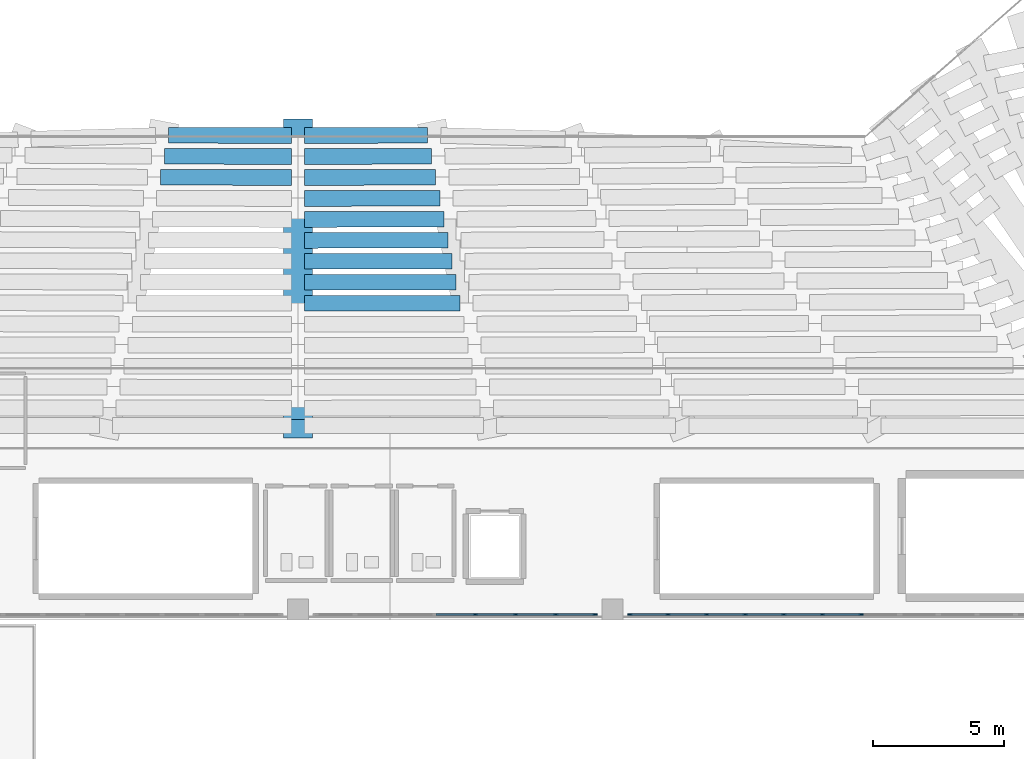
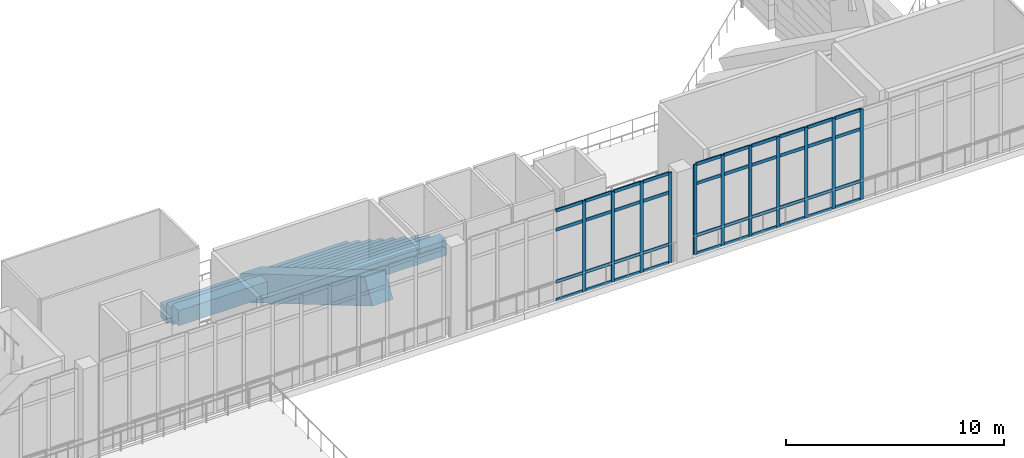
# One storey, part 12 of 55: 51 members, 13 beams, 2 elements without a shape of their own.
"""IFC4 building model written with IfcOpenShell, lengths in metres."""

from ifc_helpers import new_model, si_unit, derived_unit, direction, frame, origin, origin_2d, place, context, subcontext, project, spatial, rectangle, extrude, material, layer, layer_set, material_profile, profile_set, type_object, element, aggregate, save


model = new_model("IFC4")

# Units and contexts
model_context = context("Model", 3, precision=1e-05, world=origin(), true_north=direction((0.0, 1.0)))
body_context = subcontext(model_context, "Body", "Model", "MODEL_VIEW")
ifc_project = project(units=[si_unit("LENGTHUNIT", "METRE"), si_unit("AREAUNIT", "SQUARE_METRE"), si_unit("VOLUMEUNIT", "CUBIC_METRE"), si_unit("PLANEANGLEUNIT", "RADIAN"), si_unit("MASSUNIT", "GRAM", prefix="KILO"), derived_unit("THERMALTRANSMITTANCEUNIT", [(si_unit("MASSUNIT", "GRAM", prefix="KILO"), 1), (si_unit("TIMEUNIT", "SECOND"), -3), (si_unit("THERMODYNAMICTEMPERATUREUNIT", "KELVIN"), -1)])], contexts=[model_context])

# Site, building, storey
site_placement = place(None, origin())
site = spatial("IfcSite", under=ifc_project, at=site_placement, CompositionType="ELEMENT")
building_placement = place(site_placement, origin())
building = spatial("IfcBuilding", under=site, at=building_placement, Name="Valcora Ridge Arena", CompositionType="ELEMENT")
storey_placement = place(building_placement, frame((0.0, 0.0, 21.0)))
storey = spatial("IfcBuildingStorey", under=building, at=storey_placement, Name="L04", CompositionType="ELEMENT", Elevation=21.0)

# Beams
ifc_material_1 = material(Name="Concrete C40/50", Category="concrete")
ifc_material_profile_1 = material_profile(ifc_material_1, rectangle(XDim=0.60009765625, YDim=0.85009765625, at=origin_2d()), Name="RC 600x850")
ifc_profile_set_1 = profile_set([ifc_material_profile_1], Name="Concrete C40/50")
beam_type_1 = type_object("IfcBeamType", Name="TY-BEAM-B-RC600-X", PredefinedType="BEAM", material=ifc_profile_set_1)
for number, where, z_axis, x_axis, name in (
    (1, (53.058837890625, 38.49365234375, -8.22509765625), (0.999996196018, -0.002758251282, 0.0), (0.002758251282, 0.999996196018, 0.0), "B-RC600-X BEM-RU3-B-RC600-X-0010"),
    (2, (58.25, 38.480712890625, -8.22509765625), (0.999996196018, 0.002758251282, 0.0), (-0.002758251282, 0.999996196018, 0.0), "B-RC600-X BEM-RU3-B-RC600-X-0011"),
):
    element("IfcBeam", number, at=place(storey_placement, frame(where, z_axis=z_axis, x_axis=x_axis)), inside=storey, type_object=beam_type_1, Name=name, PredefinedType="BEAM", context=body_context, shape_type="SweptSolid", body=[
        extrude(rectangle(XDim=0.60009765625, YDim=0.85009765625, at=origin_2d()), origin(), (0.0, 0.0, 1.0), 4.691162109375),
    ])
for number, where, z_axis, x_axis, name in (
    (3, (52.904296875, 37.692626953125, -7.7451171875), (0.99999695262, -0.002468755072, 0.0), (0.002468755072, 0.99999695262, 0.0), "B-RC600-X BEM-RU3-B-RC600-X-0058"),
    (4, (58.25, 37.6806640625, -7.7451171875), (0.99999695262, 0.002468755072, 0.0), (-0.002468755072, 0.99999695262, 0.0), "B-RC600-X BEM-RU3-B-RC600-X-0059"),
):
    element("IfcBeam", number, at=place(storey_placement, frame(where, z_axis=z_axis, x_axis=x_axis)), inside=storey, type_object=beam_type_1, Name=name, PredefinedType="BEAM", context=body_context, shape_type="SweptSolid", body=[
        extrude(rectangle(XDim=0.60009765625, YDim=0.85009765625, at=origin_2d()), origin(), (0.0, 0.0, 1.0), 4.845703125),
    ])
for number, where, z_axis, x_axis, name in (
    (5, (52.75, 36.8916015625, -7.264892578125), (0.999997586021, -0.002197260321, 0.0), (0.002197260321, 0.999997586021, 0.0), "B-RC600-X BEM-RU3-B-RC600-X-0109"),
    (6, (58.25, 36.880615234375, -7.264892578125), (0.999997586021, 0.002197260321, 0.0), (-0.002197260321, 0.999997586021, 0.0), "B-RC600-X BEM-RU3-B-RC600-X-0110"),
):
    element("IfcBeam", number, at=place(storey_placement, frame(where, z_axis=z_axis, x_axis=x_axis)), inside=storey, type_object=beam_type_1, Name=name, PredefinedType="BEAM", context=body_context, shape_type="SweptSolid", body=[
        extrude(rectangle(XDim=0.60009765625, YDim=0.85009765625, at=origin_2d()), origin(), (0.0, 0.0, 1.0), 5.0),
    ])
beam_1_placement = place(storey_placement, frame((58.25, 36.08056640625, -6.784912109375), z_axis=(0.999998021357, 0.001989291758, 0.0), x_axis=(-0.001989291758, 0.999998021357, 0.0)))
element("IfcBeam", 7, at=beam_1_placement, inside=storey, type_object=beam_type_1, Name="B-RC600-X BEM-RU3-B-RC600-X-0160", PredefinedType="BEAM", context=body_context, shape_type="SweptSolid", body=[
    extrude(rectangle(XDim=0.60009765625, YDim=0.85009765625, at=origin_2d()), origin(), (0.0, 0.0, 1.0), 5.154541015625),
])
beam_2_placement = place(storey_placement, frame((58.25, 35.280517578125, -6.304931640625), z_axis=(0.999998473217, 0.001747445139, 0.0), x_axis=(-0.001747445139, 0.999998473217, 0.0)))
element("IfcBeam", 8, at=beam_2_placement, inside=storey, type_object=beam_type_1, Name="B-RC600-X BEM-RU3-B-RC600-X-0205", PredefinedType="BEAM", context=body_context, shape_type="SweptSolid", body=[
    extrude(rectangle(XDim=0.60009765625, YDim=0.85009765625, at=origin_2d()), origin(), (0.0, 0.0, 1.0), 5.30908203125),
])
beam_3_placement = place(storey_placement, frame((58.25, 34.48046875, -5.824951171875), z_axis=(0.999998845791, 0.001519347607, 0.0), x_axis=(-0.001519347607, 0.999998845791, 0.0)))
element("IfcBeam", 9, at=beam_3_placement, inside=storey, type_object=beam_type_1, Name="B-RC600-X BEM-RU3-B-RC600-X-0245", PredefinedType="BEAM", context=body_context, shape_type="SweptSolid", body=[
    extrude(rectangle(XDim=0.60009765625, YDim=0.85009765625, at=origin_2d()), origin(), (0.0, 0.0, 1.0), 5.46337890625),
])
beam_4_placement = place(storey_placement, frame((58.25, 33.680419921875, -5.344970703125), z_axis=(0.999999092552, 0.00134718056, 0.0), x_axis=(-0.00134718056, 0.999999092552, 0.0)))
element("IfcBeam", 10, at=beam_4_placement, inside=storey, type_object=beam_type_1, Name="B-RC600-X BEM-RU3-B-RC600-X-0281", PredefinedType="BEAM", context=body_context, shape_type="SweptSolid", body=[
    extrude(rectangle(XDim=0.60009765625, YDim=0.85009765625, at=origin_2d()), origin(), (0.0, 0.0, 1.0), 5.617919921875),
])
beam_5_placement = place(storey_placement, frame((58.25, 32.88037109375, -4.864990234375), z_axis=(0.999999395391, 0.001099644065, 0.0), x_axis=(-0.001099644065, 0.999999395391, 0.0)))
element("IfcBeam", 11, at=beam_5_placement, inside=storey, type_object=beam_type_1, Name="B-RC600-X BEM-RU3-B-RC600-X-0312", PredefinedType="BEAM", context=body_context, shape_type="SweptSolid", body=[
    extrude(rectangle(XDim=0.60009765625, YDim=0.85009765625, at=origin_2d()), origin(), (0.0, 0.0, 1.0), 5.7724609375),
])
beam_6_placement = place(storey_placement, frame((58.25, 32.080078125, -4.385009765625), z_axis=(0.999999511345, 0.00098858954, 0.0), x_axis=(-0.00098858954, 0.999999511345, 0.0)))
element("IfcBeam", 12, at=beam_6_placement, inside=storey, type_object=beam_type_1, Name="B-RC600-X BEM-RU3-B-RC600-X-0342", PredefinedType="BEAM", context=body_context, shape_type="SweptSolid", body=[
    extrude(rectangle(XDim=0.60009765625, YDim=0.85009765625, at=origin_2d()), origin(), (0.0, 0.0, 1.0), 5.927001953125),
])
ifc_material_2 = material(Name="Concrete C45/55", Category="concrete")
ifc_material_profile_2 = material_profile(ifc_material_2, rectangle(XDim=1.10009765625, YDim=1.39990234375, at=origin_2d()), Name="RC 1100x1400")
ifc_profile_set_2 = profile_set([ifc_material_profile_2], Name="Concrete C45/55")
beam_type_2 = type_object("IfcBeamType", Name="TY-BEAM-RKR-UPP-1400", PredefinedType="USERDEFINED", material=ifc_profile_set_2)
beam_7_placement = place(storey_placement, frame((58.0, 38.75, -8.52001953125), z_axis=(0.0, -0.861778764831, 0.507284299467), x_axis=(1.0, 0.0, 0.0)))
element("IfcBeam", 13, at=beam_7_placement, inside=storey, type_object=beam_type_2, Name="RKR-UPP-1400 BEM-RK-RKR-UPP-1400-0005", ObjectType="RAKER", PredefinedType="USERDEFINED", context=body_context, shape_type="SweptSolid", body=[
    extrude(rectangle(XDim=1.10009765625, YDim=1.39990234375, at=origin_2d()), origin(), (0.0, 0.0, 1.0), 13.286376953125),
])

# Curtain wall, members
ifc_material_3 = material(Name="Anodised dark bronze architectural aluminium 6063-T6", Category="aluminium")
ifc_layer_1 = layer(ifc_material_3, 0.179931640625, Name="Anodised dark bronze architectural aluminium 6063-T6")
ifc_layer_set_1 = layer_set([ifc_layer_1], Name="Anodised dark bronze architectural aluminium 6063-T6")
curtain_wall_type_1 = type_object("IfcCurtainWallType", Name="TY-CURTAINWALL-CW-V1-GOTH-107X51", PredefinedType="NOTDEFINED", material=ifc_layer_set_1)
curtain_wall_1_placement = place(storey_placement, origin())
curtain_wall_1 = element("IfcCurtainWall", 14, at=curtain_wall_1_placement, inside=storey, type_object=curtain_wall_type_1, Name="CW-V1-GOTH-107X51 CW-0155", PredefinedType="NOTDEFINED")
ifc_material_profile_3 = material_profile(ifc_material_3, rectangle(XDim=0.06005859375, YDim=0.179931640625, at=origin_2d()), Name="ALU MULLION 60x180")
ifc_profile_set_3 = profile_set([ifc_material_profile_3], Name="Anodised dark bronze architectural aluminium 6063-T6")
member_type_1 = type_object("IfcMemberType", Name="TY-MEM-CWM-60x180", PredefinedType="MULLION", material=ifc_profile_set_3)
member_1_placement = place(storey_placement, frame((64.765625, 20.199951171875, 0.0), z_axis=(0.0, 0.0, 1.0), x_axis=(0.0, 1.0, 0.0)))
member_1 = element("IfcMember", 15, at=member_1_placement, type_object=member_type_1, Name="CW-0155/CWM-60x180/M04", PredefinedType="MULLION", context=body_context, shape_type="SweptSolid", body=[
    extrude(rectangle(XDim=0.06005859375, YDim=0.179931640625, at=origin_2d()), origin(), (0.0, 0.0, 1.0), 5.06005859375),
])
member_2_placement = place(storey_placement, frame((66.297119140625, 20.199951171875, 0.0), z_axis=(0.0, 0.0, 1.0), x_axis=(0.0, 1.0, 0.0)))
member_2 = element("IfcMember", 16, at=member_2_placement, type_object=member_type_1, Name="CW-0155/CWM-60x180/M05", PredefinedType="MULLION", context=body_context, shape_type="SweptSolid", body=[
    extrude(rectangle(XDim=0.06005859375, YDim=0.179931640625, at=origin_2d()), origin(), (0.0, 0.0, 1.0), 5.06005859375),
])
member_3_placement = place(storey_placement, frame((67.82861328125, 20.199951171875, 0.0), z_axis=(0.0, 0.0, 1.0), x_axis=(0.0, 1.0, 0.0)))
member_3 = element("IfcMember", 17, at=member_3_placement, type_object=member_type_1, Name="CW-0155/CWM-60x180/M06", PredefinedType="MULLION", context=body_context, shape_type="SweptSolid", body=[
    extrude(rectangle(XDim=0.06005859375, YDim=0.179931640625, at=origin_2d()), origin(), (0.0, 0.0, 1.0), 5.06005859375),
])
member_4_placement = place(storey_placement, frame((69.330078125, 20.199951171875, 0.0), z_axis=(0.0, 0.0, 1.0), x_axis=(0.0, 1.0, 0.0)))
member_4 = element("IfcMember", 18, at=member_4_placement, type_object=member_type_1, Name="CW-0155/CWM-60x180/M07", PredefinedType="MULLION", context=body_context, shape_type="SweptSolid", body=[
    extrude(rectangle(XDim=0.06005859375, YDim=0.179931640625, at=origin_2d()), origin(), (0.0, 0.0, 1.0), 5.06005859375),
])

ifc_layer_2 = layer(ifc_material_3, 0.179931640625, Name="Anodised dark bronze architectural aluminium 6063-T6")
ifc_layer_set_2 = layer_set([ifc_layer_2], Name="Anodised dark bronze architectural aluminium 6063-T6")
curtain_wall_type_2 = type_object("IfcCurtainWallType", Name="TY-CURTAINWALL-CW-V1-GOTH-192X51", PredefinedType="NOTDEFINED", material=ifc_layer_set_2)
curtain_wall_2_placement = place(storey_placement, origin())
curtain_wall_2 = element("IfcCurtainWall", 19, at=curtain_wall_2_placement, inside=storey, type_object=curtain_wall_type_2, Name="CW-V1-GOTH-192X51 CW-0156", PredefinedType="NOTDEFINED")
member_5_placement = place(storey_placement, frame((70.669921875, 20.199951171875, 0.0), z_axis=(0.0, 0.0, 1.0), x_axis=(0.0, 1.0, 0.0)))
member_5 = element("IfcMember", 20, at=member_5_placement, type_object=member_type_1, Name="CW-0156/CWM-60x180/M00", PredefinedType="MULLION", context=body_context, shape_type="SweptSolid", body=[
    extrude(rectangle(XDim=0.06005859375, YDim=0.179931640625, at=origin_2d()), origin(), (0.0, 0.0, 1.0), 5.06005859375),
])
member_6_placement = place(storey_placement, frame((72.11376953125, 20.199951171875, 0.0), z_axis=(0.0, 0.0, 1.0), x_axis=(0.0, 1.0, 0.0)))
member_6 = element("IfcMember", 21, at=member_6_placement, type_object=member_type_1, Name="CW-0156/CWM-60x180/M01", PredefinedType="MULLION", context=body_context, shape_type="SweptSolid", body=[
    extrude(rectangle(XDim=0.06005859375, YDim=0.179931640625, at=origin_2d()), origin(), (0.0, 0.0, 1.0), 5.06005859375),
])
member_7_placement = place(storey_placement, frame((73.587646484375, 20.199951171875, 0.0), z_axis=(0.0, 0.0, 1.0), x_axis=(0.0, 1.0, 0.0)))
member_7 = element("IfcMember", 22, at=member_7_placement, type_object=member_type_1, Name="CW-0156/CWM-60x180/M02", PredefinedType="MULLION", context=body_context, shape_type="SweptSolid", body=[
    extrude(rectangle(XDim=0.06005859375, YDim=0.179931640625, at=origin_2d()), origin(), (0.0, 0.0, 1.0), 5.06005859375),
])
member_8_placement = place(storey_placement, frame((75.0615234375, 20.199951171875, 0.0), z_axis=(0.0, 0.0, 1.0), x_axis=(0.0, 1.0, 0.0)))
member_8 = element("IfcMember", 23, at=member_8_placement, type_object=member_type_1, Name="CW-0156/CWM-60x180/M03", PredefinedType="MULLION", context=body_context, shape_type="SweptSolid", body=[
    extrude(rectangle(XDim=0.06005859375, YDim=0.179931640625, at=origin_2d()), origin(), (0.0, 0.0, 1.0), 5.06005859375),
])
member_9_placement = place(storey_placement, frame((76.535400390625, 20.199951171875, 0.0), z_axis=(0.0, 0.0, 1.0), x_axis=(0.0, 1.0, 0.0)))
member_9 = element("IfcMember", 24, at=member_9_placement, type_object=member_type_1, Name="CW-0156/CWM-60x180/M04", PredefinedType="MULLION", context=body_context, shape_type="SweptSolid", body=[
    extrude(rectangle(XDim=0.06005859375, YDim=0.179931640625, at=origin_2d()), origin(), (0.0, 0.0, 1.0), 5.06005859375),
])
member_10_placement = place(storey_placement, frame((78.00927734375, 20.199951171875, 0.0), z_axis=(0.0, 0.0, 1.0), x_axis=(0.0, 1.0, 0.0)))
member_10 = element("IfcMember", 25, at=member_10_placement, type_object=member_type_1, Name="CW-0156/CWM-60x180/M05", PredefinedType="MULLION", context=body_context, shape_type="SweptSolid", body=[
    extrude(rectangle(XDim=0.06005859375, YDim=0.179931640625, at=origin_2d()), origin(), (0.0, 0.0, 1.0), 5.06005859375),
])
member_11_placement = place(storey_placement, frame((79.483154296875, 20.199951171875, 0.0), z_axis=(0.0, 0.0, 1.0), x_axis=(0.0, 1.0, 0.0)))
member_11 = element("IfcMember", 26, at=member_11_placement, type_object=member_type_1, Name="CW-0156/CWM-60x180/M06", PredefinedType="MULLION", context=body_context, shape_type="SweptSolid", body=[
    extrude(rectangle(XDim=0.06005859375, YDim=0.179931640625, at=origin_2d()), origin(), (0.0, 0.0, 1.0), 5.06005859375),
])

# Member
ifc_material_profile_4 = material_profile(ifc_material_3, rectangle(XDim=0.06005859375, YDim=0.179931640625, at=origin_2d()), Name="ALU TRANSOM 60x180")
ifc_profile_set_4 = profile_set([ifc_material_profile_4], Name="Anodised dark bronze architectural aluminium 6063-T6")
member_type_2 = type_object("IfcMemberType", Name="TY-MEM-CWT-60x180", PredefinedType="USERDEFINED", material=ifc_profile_set_4)
member_12_placement = place(storey_placement, frame((63.263916015625, 20.199951171875, 0.030029296875), z_axis=(1.0, 0.0, 0.0), x_axis=(0.0, 1.0, 0.0)))
member_12 = element("IfcMember", 27, at=member_12_placement, type_object=member_type_2, Name="CW-0155/CWT-60x180/T03-00", ObjectType="TRANSOM", PredefinedType="USERDEFINED", context=body_context, shape_type="SweptSolid", body=[
    extrude(rectangle(XDim=0.06005859375, YDim=0.179931640625, at=origin_2d()), origin(), (0.0, 0.0, 1.0), 1.47216796875),
])

member_13_placement = place(storey_placement, frame((63.263916015625, 20.199951171875, 1.050048828125), z_axis=(1.0, 0.0, 0.0), x_axis=(0.0, 1.0, 0.0)))
member_13 = element("IfcMember", 28, at=member_13_placement, type_object=member_type_2, Name="CW-0155/CWT-60x180/T03-01", ObjectType="TRANSOM", PredefinedType="USERDEFINED", context=body_context, shape_type="SweptSolid", body=[
    extrude(rectangle(XDim=0.06005859375, YDim=0.179931640625, at=origin_2d()), origin(), (0.0, 0.0, 1.0), 1.47216796875),
])

member_14_placement = place(storey_placement, frame((63.263916015625, 20.199951171875, 3.9599609375), z_axis=(1.0, 0.0, 0.0), x_axis=(0.0, 1.0, 0.0)))
member_14 = element("IfcMember", 29, at=member_14_placement, type_object=member_type_2, Name="CW-0155/CWT-60x180/T03-02", ObjectType="TRANSOM", PredefinedType="USERDEFINED", context=body_context, shape_type="SweptSolid", body=[
    extrude(rectangle(XDim=0.06005859375, YDim=0.179931640625, at=origin_2d()), origin(), (0.0, 0.0, 1.0), 1.47216796875),
])

member_15_placement = place(storey_placement, frame((63.263916015625, 20.199951171875, 5.030029296875), z_axis=(1.0, 0.0, 0.0), x_axis=(0.0, 1.0, 0.0)))
member_15 = element("IfcMember", 30, at=member_15_placement, type_object=member_type_2, Name="CW-0155/CWT-60x180/T03-03", ObjectType="TRANSOM", PredefinedType="USERDEFINED", context=body_context, shape_type="SweptSolid", body=[
    extrude(rectangle(XDim=0.06005859375, YDim=0.179931640625, at=origin_2d()), origin(), (0.0, 0.0, 1.0), 1.47216796875),
])

member_16_placement = place(storey_placement, frame((64.7958984375, 20.199951171875, 0.030029296875), z_axis=(1.0, 0.0, 0.0), x_axis=(0.0, 1.0, 0.0)))
member_16 = element("IfcMember", 31, at=member_16_placement, type_object=member_type_2, Name="CW-0155/CWT-60x180/T04-00", ObjectType="TRANSOM", PredefinedType="USERDEFINED", context=body_context, shape_type="SweptSolid", body=[
    extrude(rectangle(XDim=0.06005859375, YDim=0.179931640625, at=origin_2d()), origin(), (0.0, 0.0, 1.0), 1.47119140625),
])

member_17_placement = place(storey_placement, frame((64.7958984375, 20.199951171875, 1.050048828125), z_axis=(1.0, 0.0, 0.0), x_axis=(0.0, 1.0, 0.0)))
member_17 = element("IfcMember", 32, at=member_17_placement, type_object=member_type_2, Name="CW-0155/CWT-60x180/T04-01", ObjectType="TRANSOM", PredefinedType="USERDEFINED", context=body_context, shape_type="SweptSolid", body=[
    extrude(rectangle(XDim=0.06005859375, YDim=0.179931640625, at=origin_2d()), origin(), (0.0, 0.0, 1.0), 1.47119140625),
])

member_18_placement = place(storey_placement, frame((64.7958984375, 20.199951171875, 3.9599609375), z_axis=(1.0, 0.0, 0.0), x_axis=(0.0, 1.0, 0.0)))
member_18 = element("IfcMember", 33, at=member_18_placement, type_object=member_type_2, Name="CW-0155/CWT-60x180/T04-02", ObjectType="TRANSOM", PredefinedType="USERDEFINED", context=body_context, shape_type="SweptSolid", body=[
    extrude(rectangle(XDim=0.06005859375, YDim=0.179931640625, at=origin_2d()), origin(), (0.0, 0.0, 1.0), 1.47119140625),
])

member_19_placement = place(storey_placement, frame((64.7958984375, 20.199951171875, 5.030029296875), z_axis=(1.0, 0.0, 0.0), x_axis=(0.0, 1.0, 0.0)))
member_19 = element("IfcMember", 34, at=member_19_placement, type_object=member_type_2, Name="CW-0155/CWT-60x180/T04-03", ObjectType="TRANSOM", PredefinedType="USERDEFINED", context=body_context, shape_type="SweptSolid", body=[
    extrude(rectangle(XDim=0.06005859375, YDim=0.179931640625, at=origin_2d()), origin(), (0.0, 0.0, 1.0), 1.47119140625),
])

member_20_placement = place(storey_placement, frame((66.326904296875, 20.199951171875, 0.030029296875), z_axis=(1.0, 0.0, 0.0), x_axis=(0.0, 1.0, 0.0)))
member_20 = element("IfcMember", 35, at=member_20_placement, type_object=member_type_2, Name="CW-0155/CWT-60x180/T05-00", ObjectType="TRANSOM", PredefinedType="USERDEFINED", context=body_context, shape_type="SweptSolid", body=[
    extrude(rectangle(XDim=0.06005859375, YDim=0.179931640625, at=origin_2d()), origin(), (0.0, 0.0, 1.0), 1.47216796875),
])

member_21_placement = place(storey_placement, frame((66.326904296875, 20.199951171875, 1.050048828125), z_axis=(1.0, 0.0, 0.0), x_axis=(0.0, 1.0, 0.0)))
member_21 = element("IfcMember", 36, at=member_21_placement, type_object=member_type_2, Name="CW-0155/CWT-60x180/T05-01", ObjectType="TRANSOM", PredefinedType="USERDEFINED", context=body_context, shape_type="SweptSolid", body=[
    extrude(rectangle(XDim=0.06005859375, YDim=0.179931640625, at=origin_2d()), origin(), (0.0, 0.0, 1.0), 1.47216796875),
])

member_22_placement = place(storey_placement, frame((66.326904296875, 20.199951171875, 3.9599609375), z_axis=(1.0, 0.0, 0.0), x_axis=(0.0, 1.0, 0.0)))
member_22 = element("IfcMember", 37, at=member_22_placement, type_object=member_type_2, Name="CW-0155/CWT-60x180/T05-02", ObjectType="TRANSOM", PredefinedType="USERDEFINED", context=body_context, shape_type="SweptSolid", body=[
    extrude(rectangle(XDim=0.06005859375, YDim=0.179931640625, at=origin_2d()), origin(), (0.0, 0.0, 1.0), 1.47216796875),
])

member_23_placement = place(storey_placement, frame((66.326904296875, 20.199951171875, 5.030029296875), z_axis=(1.0, 0.0, 0.0), x_axis=(0.0, 1.0, 0.0)))
member_23 = element("IfcMember", 38, at=member_23_placement, type_object=member_type_2, Name="CW-0155/CWT-60x180/T05-03", ObjectType="TRANSOM", PredefinedType="USERDEFINED", context=body_context, shape_type="SweptSolid", body=[
    extrude(rectangle(XDim=0.06005859375, YDim=0.179931640625, at=origin_2d()), origin(), (0.0, 0.0, 1.0), 1.47216796875),
])

member_24_placement = place(storey_placement, frame((67.85888671875, 20.199951171875, 0.030029296875), z_axis=(1.0, 0.0, 0.0), x_axis=(0.0, 1.0, 0.0)))
member_24 = element("IfcMember", 39, at=member_24_placement, type_object=member_type_2, Name="CW-0155/CWT-60x180/T06-00", ObjectType="TRANSOM", PredefinedType="USERDEFINED", context=body_context, shape_type="SweptSolid", body=[
    extrude(rectangle(XDim=0.06005859375, YDim=0.179931640625, at=origin_2d()), origin(), (0.0, 0.0, 1.0), 1.441162109375),
])

member_25_placement = place(storey_placement, frame((67.85888671875, 20.199951171875, 1.050048828125), z_axis=(1.0, 0.0, 0.0), x_axis=(0.0, 1.0, 0.0)))
member_25 = element("IfcMember", 40, at=member_25_placement, type_object=member_type_2, Name="CW-0155/CWT-60x180/T06-01", ObjectType="TRANSOM", PredefinedType="USERDEFINED", context=body_context, shape_type="SweptSolid", body=[
    extrude(rectangle(XDim=0.06005859375, YDim=0.179931640625, at=origin_2d()), origin(), (0.0, 0.0, 1.0), 1.441162109375),
])

member_26_placement = place(storey_placement, frame((67.85888671875, 20.199951171875, 3.9599609375), z_axis=(1.0, 0.0, 0.0), x_axis=(0.0, 1.0, 0.0)))
member_26 = element("IfcMember", 41, at=member_26_placement, type_object=member_type_2, Name="CW-0155/CWT-60x180/T06-02", ObjectType="TRANSOM", PredefinedType="USERDEFINED", context=body_context, shape_type="SweptSolid", body=[
    extrude(rectangle(XDim=0.06005859375, YDim=0.179931640625, at=origin_2d()), origin(), (0.0, 0.0, 1.0), 1.441162109375),
])

member_27_placement = place(storey_placement, frame((67.85888671875, 20.199951171875, 5.030029296875), z_axis=(1.0, 0.0, 0.0), x_axis=(0.0, 1.0, 0.0)))
member_27 = element("IfcMember", 42, at=member_27_placement, type_object=member_type_2, Name="CW-0155/CWT-60x180/T06-03", ObjectType="TRANSOM", PredefinedType="USERDEFINED", context=body_context, shape_type="SweptSolid", body=[
    extrude(rectangle(XDim=0.06005859375, YDim=0.179931640625, at=origin_2d()), origin(), (0.0, 0.0, 1.0), 1.441162109375),
])

aggregate(curtain_wall_1, [member_1, member_2, member_3, member_4, member_12, member_13, member_14, member_15, member_16, member_17, member_18, member_19, member_20, member_21, member_22, member_23, member_24, member_25, member_26, member_27])

member_28_placement = place(storey_placement, frame((70.699951171875, 20.199951171875, 0.030029296875), z_axis=(1.0, 0.0, 0.0), x_axis=(0.0, 1.0, 0.0)))
member_28 = element("IfcMember", 43, at=member_28_placement, type_object=member_type_2, Name="CW-0156/CWT-60x180/T00-00", ObjectType="TRANSOM", PredefinedType="USERDEFINED", context=body_context, shape_type="SweptSolid", body=[
    extrude(rectangle(XDim=0.06005859375, YDim=0.179931640625, at=origin_2d()), origin(), (0.0, 0.0, 1.0), 1.384033203125),
])

member_29_placement = place(storey_placement, frame((70.699951171875, 20.199951171875, 1.050048828125), z_axis=(1.0, 0.0, 0.0), x_axis=(0.0, 1.0, 0.0)))
member_29 = element("IfcMember", 44, at=member_29_placement, type_object=member_type_2, Name="CW-0156/CWT-60x180/T00-01", ObjectType="TRANSOM", PredefinedType="USERDEFINED", context=body_context, shape_type="SweptSolid", body=[
    extrude(rectangle(XDim=0.06005859375, YDim=0.179931640625, at=origin_2d()), origin(), (0.0, 0.0, 1.0), 1.384033203125),
])

member_30_placement = place(storey_placement, frame((70.699951171875, 20.199951171875, 3.9599609375), z_axis=(1.0, 0.0, 0.0), x_axis=(0.0, 1.0, 0.0)))
member_30 = element("IfcMember", 45, at=member_30_placement, type_object=member_type_2, Name="CW-0156/CWT-60x180/T00-02", ObjectType="TRANSOM", PredefinedType="USERDEFINED", context=body_context, shape_type="SweptSolid", body=[
    extrude(rectangle(XDim=0.06005859375, YDim=0.179931640625, at=origin_2d()), origin(), (0.0, 0.0, 1.0), 1.384033203125),
])

member_31_placement = place(storey_placement, frame((70.699951171875, 20.199951171875, 5.030029296875), z_axis=(1.0, 0.0, 0.0), x_axis=(0.0, 1.0, 0.0)))
member_31 = element("IfcMember", 46, at=member_31_placement, type_object=member_type_2, Name="CW-0156/CWT-60x180/T00-03", ObjectType="TRANSOM", PredefinedType="USERDEFINED", context=body_context, shape_type="SweptSolid", body=[
    extrude(rectangle(XDim=0.06005859375, YDim=0.179931640625, at=origin_2d()), origin(), (0.0, 0.0, 1.0), 1.384033203125),
])

member_32_placement = place(storey_placement, frame((72.14404296875, 20.199951171875, 0.030029296875), z_axis=(1.0, 0.0, 0.0), x_axis=(0.0, 1.0, 0.0)))
member_32 = element("IfcMember", 47, at=member_32_placement, type_object=member_type_2, Name="CW-0156/CWT-60x180/T01-00", ObjectType="TRANSOM", PredefinedType="USERDEFINED", context=body_context, shape_type="SweptSolid", body=[
    extrude(rectangle(XDim=0.06005859375, YDim=0.179931640625, at=origin_2d()), origin(), (0.0, 0.0, 1.0), 1.4140625),
])

member_33_placement = place(storey_placement, frame((72.14404296875, 20.199951171875, 1.050048828125), z_axis=(1.0, 0.0, 0.0), x_axis=(0.0, 1.0, 0.0)))
member_33 = element("IfcMember", 48, at=member_33_placement, type_object=member_type_2, Name="CW-0156/CWT-60x180/T01-01", ObjectType="TRANSOM", PredefinedType="USERDEFINED", context=body_context, shape_type="SweptSolid", body=[
    extrude(rectangle(XDim=0.06005859375, YDim=0.179931640625, at=origin_2d()), origin(), (0.0, 0.0, 1.0), 1.4140625),
])

member_34_placement = place(storey_placement, frame((72.14404296875, 20.199951171875, 3.9599609375), z_axis=(1.0, 0.0, 0.0), x_axis=(0.0, 1.0, 0.0)))
member_34 = element("IfcMember", 49, at=member_34_placement, type_object=member_type_2, Name="CW-0156/CWT-60x180/T01-02", ObjectType="TRANSOM", PredefinedType="USERDEFINED", context=body_context, shape_type="SweptSolid", body=[
    extrude(rectangle(XDim=0.06005859375, YDim=0.179931640625, at=origin_2d()), origin(), (0.0, 0.0, 1.0), 1.4140625),
])

member_35_placement = place(storey_placement, frame((72.14404296875, 20.199951171875, 5.030029296875), z_axis=(1.0, 0.0, 0.0), x_axis=(0.0, 1.0, 0.0)))
member_35 = element("IfcMember", 50, at=member_35_placement, type_object=member_type_2, Name="CW-0156/CWT-60x180/T01-03", ObjectType="TRANSOM", PredefinedType="USERDEFINED", context=body_context, shape_type="SweptSolid", body=[
    extrude(rectangle(XDim=0.06005859375, YDim=0.179931640625, at=origin_2d()), origin(), (0.0, 0.0, 1.0), 1.4140625),
])

member_36_placement = place(storey_placement, frame((73.617919921875, 20.199951171875, 0.030029296875), z_axis=(1.0, 0.0, 0.0), x_axis=(0.0, 1.0, 0.0)))
member_36 = element("IfcMember", 51, at=member_36_placement, type_object=member_type_2, Name="CW-0156/CWT-60x180/T02-00", ObjectType="TRANSOM", PredefinedType="USERDEFINED", context=body_context, shape_type="SweptSolid", body=[
    extrude(rectangle(XDim=0.06005859375, YDim=0.179931640625, at=origin_2d()), origin(), (0.0, 0.0, 1.0), 1.4140625),
])

member_37_placement = place(storey_placement, frame((73.617919921875, 20.199951171875, 1.050048828125), z_axis=(1.0, 0.0, 0.0), x_axis=(0.0, 1.0, 0.0)))
member_37 = element("IfcMember", 52, at=member_37_placement, type_object=member_type_2, Name="CW-0156/CWT-60x180/T02-01", ObjectType="TRANSOM", PredefinedType="USERDEFINED", context=body_context, shape_type="SweptSolid", body=[
    extrude(rectangle(XDim=0.06005859375, YDim=0.179931640625, at=origin_2d()), origin(), (0.0, 0.0, 1.0), 1.4140625),
])

member_38_placement = place(storey_placement, frame((73.617919921875, 20.199951171875, 3.9599609375), z_axis=(1.0, 0.0, 0.0), x_axis=(0.0, 1.0, 0.0)))
member_38 = element("IfcMember", 53, at=member_38_placement, type_object=member_type_2, Name="CW-0156/CWT-60x180/T02-02", ObjectType="TRANSOM", PredefinedType="USERDEFINED", context=body_context, shape_type="SweptSolid", body=[
    extrude(rectangle(XDim=0.06005859375, YDim=0.179931640625, at=origin_2d()), origin(), (0.0, 0.0, 1.0), 1.4140625),
])

member_39_placement = place(storey_placement, frame((73.617919921875, 20.199951171875, 5.030029296875), z_axis=(1.0, 0.0, 0.0), x_axis=(0.0, 1.0, 0.0)))
member_39 = element("IfcMember", 54, at=member_39_placement, type_object=member_type_2, Name="CW-0156/CWT-60x180/T02-03", ObjectType="TRANSOM", PredefinedType="USERDEFINED", context=body_context, shape_type="SweptSolid", body=[
    extrude(rectangle(XDim=0.06005859375, YDim=0.179931640625, at=origin_2d()), origin(), (0.0, 0.0, 1.0), 1.4140625),
])

member_40_placement = place(storey_placement, frame((75.092041015625, 20.199951171875, 0.030029296875), z_axis=(1.0, 0.0, 0.0), x_axis=(0.0, 1.0, 0.0)))
member_40 = element("IfcMember", 55, at=member_40_placement, type_object=member_type_2, Name="CW-0156/CWT-60x180/T03-00", ObjectType="TRANSOM", PredefinedType="USERDEFINED", context=body_context, shape_type="SweptSolid", body=[
    extrude(rectangle(XDim=0.06005859375, YDim=0.179931640625, at=origin_2d()), origin(), (0.0, 0.0, 1.0), 1.412841796875),
])

member_41_placement = place(storey_placement, frame((75.092041015625, 20.199951171875, 1.050048828125), z_axis=(1.0, 0.0, 0.0), x_axis=(0.0, 1.0, 0.0)))
member_41 = element("IfcMember", 56, at=member_41_placement, type_object=member_type_2, Name="CW-0156/CWT-60x180/T03-01", ObjectType="TRANSOM", PredefinedType="USERDEFINED", context=body_context, shape_type="SweptSolid", body=[
    extrude(rectangle(XDim=0.06005859375, YDim=0.179931640625, at=origin_2d()), origin(), (0.0, 0.0, 1.0), 1.412841796875),
])

member_42_placement = place(storey_placement, frame((75.092041015625, 20.199951171875, 3.9599609375), z_axis=(1.0, 0.0, 0.0), x_axis=(0.0, 1.0, 0.0)))
member_42 = element("IfcMember", 57, at=member_42_placement, type_object=member_type_2, Name="CW-0156/CWT-60x180/T03-02", ObjectType="TRANSOM", PredefinedType="USERDEFINED", context=body_context, shape_type="SweptSolid", body=[
    extrude(rectangle(XDim=0.06005859375, YDim=0.179931640625, at=origin_2d()), origin(), (0.0, 0.0, 1.0), 1.412841796875),
])

member_43_placement = place(storey_placement, frame((75.092041015625, 20.199951171875, 5.030029296875), z_axis=(1.0, 0.0, 0.0), x_axis=(0.0, 1.0, 0.0)))
member_43 = element("IfcMember", 58, at=member_43_placement, type_object=member_type_2, Name="CW-0156/CWT-60x180/T03-03", ObjectType="TRANSOM", PredefinedType="USERDEFINED", context=body_context, shape_type="SweptSolid", body=[
    extrude(rectangle(XDim=0.06005859375, YDim=0.179931640625, at=origin_2d()), origin(), (0.0, 0.0, 1.0), 1.412841796875),
])

member_44_placement = place(storey_placement, frame((76.56494140625, 20.199951171875, 0.030029296875), z_axis=(1.0, 0.0, 0.0), x_axis=(0.0, 1.0, 0.0)))
member_44 = element("IfcMember", 59, at=member_44_placement, type_object=member_type_2, Name="CW-0156/CWT-60x180/T04-00", ObjectType="TRANSOM", PredefinedType="USERDEFINED", context=body_context, shape_type="SweptSolid", body=[
    extrude(rectangle(XDim=0.06005859375, YDim=0.179931640625, at=origin_2d()), origin(), (0.0, 0.0, 1.0), 1.4140625),
])

member_45_placement = place(storey_placement, frame((76.56494140625, 20.199951171875, 1.050048828125), z_axis=(1.0, 0.0, 0.0), x_axis=(0.0, 1.0, 0.0)))
member_45 = element("IfcMember", 60, at=member_45_placement, type_object=member_type_2, Name="CW-0156/CWT-60x180/T04-01", ObjectType="TRANSOM", PredefinedType="USERDEFINED", context=body_context, shape_type="SweptSolid", body=[
    extrude(rectangle(XDim=0.06005859375, YDim=0.179931640625, at=origin_2d()), origin(), (0.0, 0.0, 1.0), 1.4140625),
])

member_46_placement = place(storey_placement, frame((76.56494140625, 20.199951171875, 3.9599609375), z_axis=(1.0, 0.0, 0.0), x_axis=(0.0, 1.0, 0.0)))
member_46 = element("IfcMember", 61, at=member_46_placement, type_object=member_type_2, Name="CW-0156/CWT-60x180/T04-02", ObjectType="TRANSOM", PredefinedType="USERDEFINED", context=body_context, shape_type="SweptSolid", body=[
    extrude(rectangle(XDim=0.06005859375, YDim=0.179931640625, at=origin_2d()), origin(), (0.0, 0.0, 1.0), 1.4140625),
])

member_47_placement = place(storey_placement, frame((76.56494140625, 20.199951171875, 5.030029296875), z_axis=(1.0, 0.0, 0.0), x_axis=(0.0, 1.0, 0.0)))
member_47 = element("IfcMember", 62, at=member_47_placement, type_object=member_type_2, Name="CW-0156/CWT-60x180/T04-03", ObjectType="TRANSOM", PredefinedType="USERDEFINED", context=body_context, shape_type="SweptSolid", body=[
    extrude(rectangle(XDim=0.06005859375, YDim=0.179931640625, at=origin_2d()), origin(), (0.0, 0.0, 1.0), 1.4140625),
])

member_48_placement = place(storey_placement, frame((78.0390625, 20.199951171875, 0.030029296875), z_axis=(1.0, 0.0, 0.0), x_axis=(0.0, 1.0, 0.0)))
member_48 = element("IfcMember", 63, at=member_48_placement, type_object=member_type_2, Name="CW-0156/CWT-60x180/T05-00", ObjectType="TRANSOM", PredefinedType="USERDEFINED", context=body_context, shape_type="SweptSolid", body=[
    extrude(rectangle(XDim=0.06005859375, YDim=0.179931640625, at=origin_2d()), origin(), (0.0, 0.0, 1.0), 1.413818359375),
])

member_49_placement = place(storey_placement, frame((78.0390625, 20.199951171875, 1.050048828125), z_axis=(1.0, 0.0, 0.0), x_axis=(0.0, 1.0, 0.0)))
member_49 = element("IfcMember", 64, at=member_49_placement, type_object=member_type_2, Name="CW-0156/CWT-60x180/T05-01", ObjectType="TRANSOM", PredefinedType="USERDEFINED", context=body_context, shape_type="SweptSolid", body=[
    extrude(rectangle(XDim=0.06005859375, YDim=0.179931640625, at=origin_2d()), origin(), (0.0, 0.0, 1.0), 1.413818359375),
])

member_50_placement = place(storey_placement, frame((78.0390625, 20.199951171875, 3.9599609375), z_axis=(1.0, 0.0, 0.0), x_axis=(0.0, 1.0, 0.0)))
member_50 = element("IfcMember", 65, at=member_50_placement, type_object=member_type_2, Name="CW-0156/CWT-60x180/T05-02", ObjectType="TRANSOM", PredefinedType="USERDEFINED", context=body_context, shape_type="SweptSolid", body=[
    extrude(rectangle(XDim=0.06005859375, YDim=0.179931640625, at=origin_2d()), origin(), (0.0, 0.0, 1.0), 1.413818359375),
])

member_51_placement = place(storey_placement, frame((78.0390625, 20.199951171875, 5.030029296875), z_axis=(1.0, 0.0, 0.0), x_axis=(0.0, 1.0, 0.0)))
member_51 = element("IfcMember", 66, at=member_51_placement, type_object=member_type_2, Name="CW-0156/CWT-60x180/T05-03", ObjectType="TRANSOM", PredefinedType="USERDEFINED", context=body_context, shape_type="SweptSolid", body=[
    extrude(rectangle(XDim=0.06005859375, YDim=0.179931640625, at=origin_2d()), origin(), (0.0, 0.0, 1.0), 1.413818359375),
])

aggregate(curtain_wall_2, [member_5, member_6, member_7, member_8, member_9, member_10, member_11, member_28, member_29, member_30, member_31, member_32, member_33, member_34, member_35, member_36, member_37, member_38, member_39, member_40, member_41, member_42, member_43, member_44, member_45, member_46, member_47, member_48, member_49, member_50, member_51])

save(model, "model.ifc")
